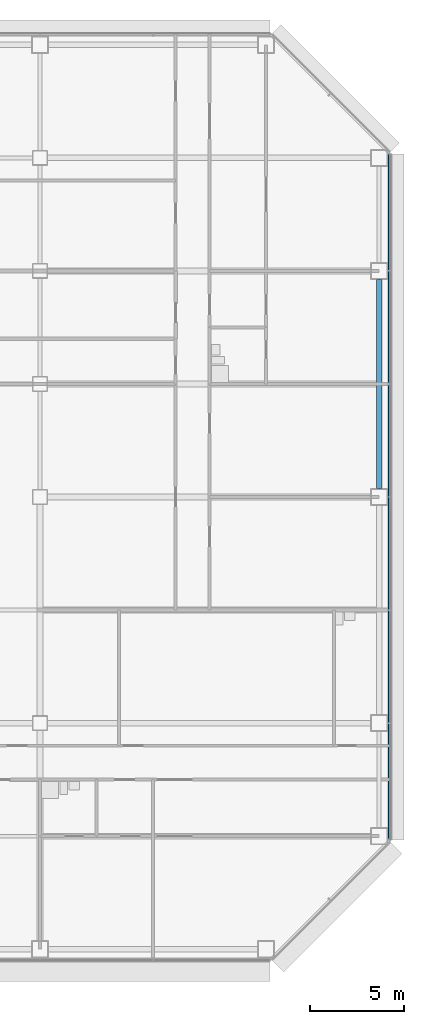
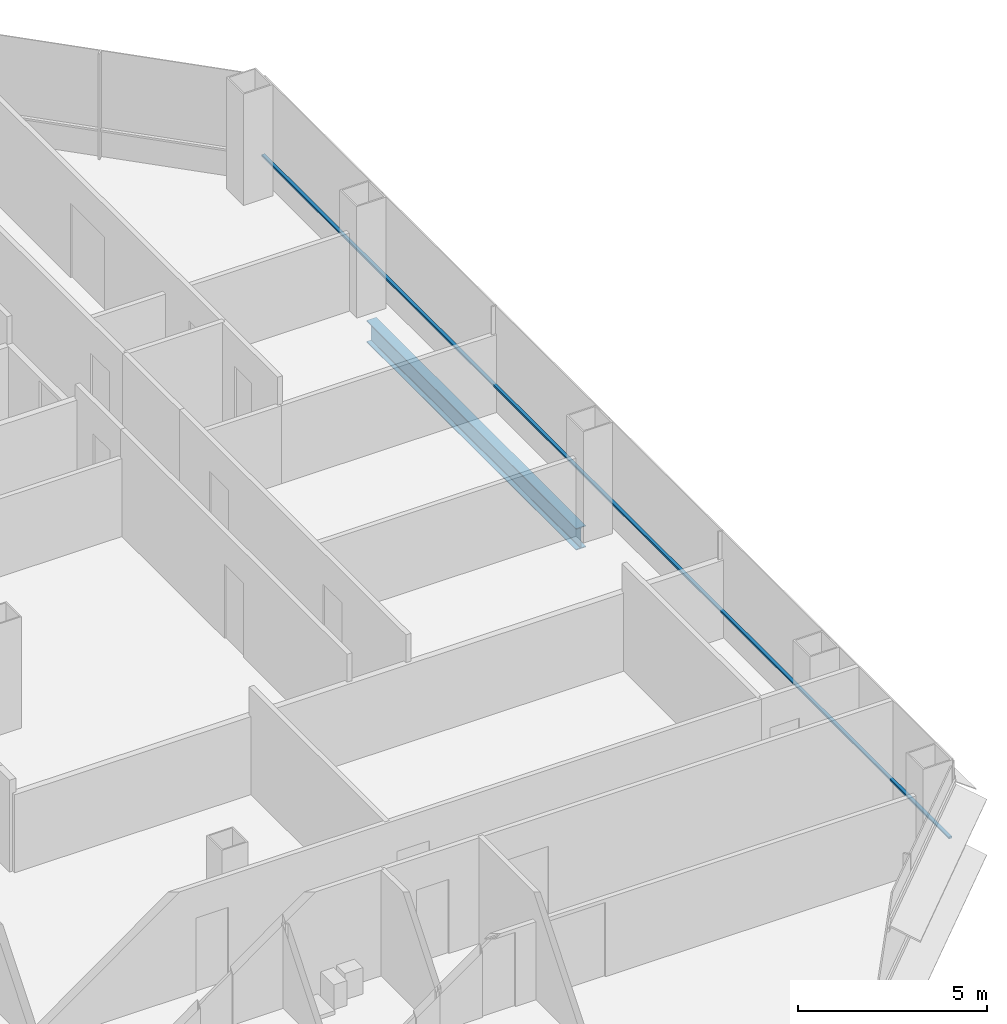
# One storey, part 17 of 27: 1 beam, 1 member, 1 element without a shape of its own.
"""IFC4 building model written with IfcOpenShell, lengths in metres."""

import ifcopenshell
import ifcopenshell.guid

model = None  # the IFC model being written
_history = None  # IfcOwnerHistory: only IFC2X3 demands one
_inside = {}  # id of a spatial element -> (the spatial element, [elements in it])
_under = {}  # id of a project, library or spatial element -> (it, [spatial elements below it])
_declared = {}  # id of a project -> (the project, [libraries it declares])
_typed = {}  # id of a type object -> (the type object, [elements of that type])
_made_of = {}  # id of a material, layer set ... -> (it, [elements and type objects made of it])


def new_model(schema):
    """Start an empty IFC model of exactly this schema.

    Asked for "IFC4X3", IfcOpenShell would pick the latest addendum, in which some entities
    have other attributes; the version numbers below select the first issue.
    IFC2X3 requires an IfcOwnerHistory on every rooted entity: one is made here for all.
    """
    global model, _history
    if schema == "IFC4X3":
        model = ifcopenshell.file(schema_version=(4, 3, 0, 0))
    else:
        model = ifcopenshell.file(schema=schema)
    _inside.clear()
    _under.clear()
    _declared.clear()
    _typed.clear()
    _made_of.clear()
    _history = None
    if model.schema == "IFC2X3":
        org = make("IfcOrganization", Name="unknown")
        user = make(
            "IfcPersonAndOrganization",
            ThePerson=make("IfcPerson", FamilyName="unknown"),
            TheOrganization=org,
        )
        app = make(
            "IfcApplication",
            ApplicationDeveloper=org,
            Version="unknown",
            ApplicationFullName="unknown",
            ApplicationIdentifier="unknown",
        )
        _history = make(
            "IfcOwnerHistory",
            OwningUser=user,
            OwningApplication=app,
            ChangeAction="ADDED",
            CreationDate=0,
        )
    return model


def make(cls, **values):
    """One entity of the class cls with the attributes given. An attribute that is None is left unset."""
    return model.create_entity(
        cls, **{name: value for name, value in values.items() if value is not None}
    )


def rooted(cls, **values):
    """An entity with a GlobalId (a new one), such as an element, a storey or a relation."""
    return make(cls, GlobalId=ifcopenshell.guid.new(), OwnerHistory=_history, **values)


def si_unit(unit_type, name, prefix=None):
    """IfcSIUnit, for example si_unit("LENGTHUNIT", "METRE", prefix="MILLI")."""
    return make("IfcSIUnit", UnitType=unit_type, Prefix=prefix, Name=name)


def assignment(units):
    """IfcUnitAssignment: the units of a project."""
    return None if units is None else make("IfcUnitAssignment", Units=units)


def point(xyz):
    """IfcCartesianPoint."""
    return None if xyz is None else make("IfcCartesianPoint", Coordinates=xyz)


def direction(xyz):
    """IfcDirection."""
    return None if xyz is None else make("IfcDirection", DirectionRatios=xyz)


def frame(location, z_axis=None, x_axis=None):
    """IfcAxis2Placement3D, a coordinate frame: its origin and axes. An axis left out is left unset."""
    return make(
        "IfcAxis2Placement3D",
        Location=point(location),
        Axis=direction(z_axis),
        RefDirection=direction(x_axis),
    )


def frame_2d(location, x_axis=None):
    """IfcAxis2Placement2D, a coordinate frame in the plane: its origin and x axis."""
    return make(
        "IfcAxis2Placement2D", Location=point(location), RefDirection=direction(x_axis)
    )


def origin():
    """The frame at (0, 0, 0) with its axes left unset."""
    return frame((0.0, 0.0, 0.0))


def origin_2d():
    """The frame at (0, 0) in the plane with its x axis left unset."""
    return frame_2d((0.0, 0.0))


def place(relative_to, where):
    """IfcLocalPlacement: puts the frame where relative to a parent placement (None: the world)."""
    return make(
        "IfcLocalPlacement", PlacementRelTo=relative_to, RelativePlacement=where
    )


def context(
    kind, dimensions, precision=None, world=None, true_north=None, identifier=None
):
    """IfcGeometricRepresentationContext, for example the 3D "Model" context."""
    return make(
        "IfcGeometricRepresentationContext",
        ContextIdentifier=identifier,
        ContextType=kind,
        CoordinateSpaceDimension=dimensions,
        Precision=precision,
        WorldCoordinateSystem=world,
        TrueNorth=true_north,
    )


def subcontext(parent, identifier, kind, view, scale=None):
    """IfcGeometricRepresentationSubContext, for example "Body" below "Model"."""
    return make(
        "IfcGeometricRepresentationSubContext",
        ContextIdentifier=identifier,
        ContextType=kind,
        ParentContext=parent,
        TargetScale=scale,
        TargetView=view,
    )


def project(units=None, contexts=None):
    """IfcProject with its units and contexts."""
    return rooted(
        "IfcProject",
        Name="project",
        RepresentationContexts=contexts,
        UnitsInContext=assignment(units),
    )


def spatial(cls, under=None, at=None, **own):
    """A site, building, storey or space (cls), placed at a placement, below another one or the project."""
    s = rooted(cls, ObjectPlacement=at, **own)
    if under is not None:
        _under.setdefault(under.id(), (under, []))[1].append(s)
    return s


def profile(cls, at=None, kind="AREA", **sizes):
    """A parametric profile (cls). Its sizes go by their IFC names, for example OverallWidth=200.0."""
    return make(cls, ProfileType=kind, Position=at, **sizes)


def rectangle(**sizes):
    """IfcRectangleProfileDef."""
    return profile("IfcRectangleProfileDef", **sizes)


def i_section(**sizes):
    """IfcIShapeProfileDef."""
    return profile("IfcIShapeProfileDef", **sizes)


def extrude(swept, where, along, depth):
    """IfcExtrudedAreaSolid: the profile swept, set in the frame where, extruded along a direction by depth."""
    return make(
        "IfcExtrudedAreaSolid",
        SweptArea=swept,
        Position=where,
        ExtrudedDirection=direction(along),
        Depth=depth,
    )


def shape(context_of_items, identifier, shape_type, items):
    """IfcShapeRepresentation: the items that make up one representation, for example the "Body"."""
    return make(
        "IfcShapeRepresentation",
        ContextOfItems=context_of_items,
        RepresentationIdentifier=identifier,
        RepresentationType=shape_type,
        Items=items,
    )


def material(Name=None, Category=None):
    """IfcMaterial."""
    return make("IfcMaterial", Name=Name, Category=Category)


def material_profile(
    of_material, cross_section, Name=None, Category=None, Priority=None
):
    """IfcMaterialProfile: a cross section and its material."""
    return make(
        "IfcMaterialProfile",
        Name=Name,
        Material=of_material,
        Profile=cross_section,
        Priority=Priority,
        Category=Category,
    )


def profile_set(profiles, Name=None, composite=None):
    """IfcMaterialProfileSet."""
    return make(
        "IfcMaterialProfileSet",
        Name=Name,
        MaterialProfiles=profiles,
        CompositeProfile=composite,
    )


def made_of(thing, what):
    """Note that an element or type object is made of a material, layer set ...; save() writes the relation."""
    if what is not None:
        _made_of.setdefault(what.id(), (what, []))[1].append(thing)
    return thing


def type_object(cls, material=None, **own):
    """A type object (cls), such as IfcWallType, which elements share."""
    return made_of(rooted(cls, **own), material)


def element(
    cls,
    number,
    at=None,
    inside=None,
    cuts=None,
    type_object=None,
    material=None,
    context=None,
    identifier="Body",
    shape_type=None,
    held_by="IfcProductDefinitionShape",
    body=None,
    shapes=None,
    **own,
):
    """One element of the class cls, such as IfcWall. Its Tag is "e" and its number.

    at: its placement. inside: the storey or other place that contains it. cuts: it is an
    opening in that element (IfcRelVoidsElement). A single representation is given by context,
    identifier, shape_type and body (its items); several are given by shapes. held_by: the class
    of the entity that holds the representations. save() writes the other relations.
    """
    e = rooted(cls, Tag="e%d" % number, ObjectPlacement=at, **own)
    if body is not None:
        shapes = [shape(context, identifier, shape_type, body)]
    if shapes is not None:
        e.Representation = make(held_by, Representations=shapes)
    if inside is not None:
        _inside.setdefault(inside.id(), (inside, []))[1].append(e)
    if cuts is not None:
        rooted(
            "IfcRelVoidsElement", RelatingBuildingElement=cuts, RelatedOpeningElement=e
        )
    if type_object is not None:
        _typed.setdefault(type_object.id(), (type_object, []))[1].append(e)
    return made_of(e, material)


def aggregate(whole, parts):
    """IfcRelAggregates: a whole, such as a stair, and the parts it consists of."""
    return rooted("IfcRelAggregates", RelatingObject=whole, RelatedObjects=parts)


def save(model, path):
    """Write the relations noted so far, then the file.

    IfcRelAggregates (storeys below a building ...), IfcRelContainedInSpatialStructure (elements
    in a storey), IfcRelDefinesByType, IfcRelAssociatesMaterial and IfcRelDeclares: one each for
    every whole, place, type object, material and project.
    """
    for whole, parts in _under.values():
        aggregate(whole, parts)
    for where, things in _inside.values():
        rooted(
            "IfcRelContainedInSpatialStructure",
            RelatedElements=things,
            RelatingStructure=where,
        )
    for kind, things in _typed.values():
        rooted("IfcRelDefinesByType", RelatedObjects=things, RelatingType=kind)
    for what, things in _made_of.values():
        rooted("IfcRelAssociatesMaterial", RelatedObjects=things, RelatingMaterial=what)
    for by, libraries in _declared.values():
        rooted("IfcRelDeclares", RelatingContext=by, RelatedDefinitions=libraries)
    model.write(path)


model = new_model("IFC4")

# Units and contexts
model_context = context("Model", 3, precision=1e-05, world=origin(), true_north=direction((0.0, 1.0)))
body_context = subcontext(model_context, "Body", "Model", "MODEL_VIEW")
ifc_project = project(units=[si_unit("LENGTHUNIT", "METRE"), si_unit("AREAUNIT", "SQUARE_METRE"), si_unit("VOLUMEUNIT", "CUBIC_METRE"), si_unit("PLANEANGLEUNIT", "RADIAN"), si_unit("MASSUNIT", "GRAM", prefix="KILO")], contexts=[model_context])

# Site, building, storey
site_placement = place(None, origin())
site = spatial("IfcSite", under=ifc_project, at=site_placement, CompositionType="ELEMENT")
building_placement = place(site_placement, origin())
building = spatial("IfcBuilding", under=site, at=building_placement, Name="Sorahane Residences", CompositionType="ELEMENT")
storey_placement = place(building_placement, frame((0.0, 0.0, 78.60009765625)))
storey = spatial("IfcBuildingStorey", under=building, at=storey_placement, Name="L16", CompositionType="ELEMENT", Elevation=78.60009765625)

# Curtain wall, member
ifc_material_1 = material(Name="Dark low-e glass and black anodised aluminium", Category="aluminium")
curtain_wall_type = type_object("IfcCurtainWallType", Name="Curtain wall CW-1 Typical unitised wall", PredefinedType="NOTDEFINED", material=ifc_material_1)
curtain_wall_placement = place(storey_placement, origin())
curtain_wall = element("IfcCurtainWall", 1, at=curtain_wall_placement, inside=storey, type_object=curtain_wall_type, Name="CW-1 curtain wall L16 E1", PredefinedType="NOTDEFINED")
ifc_material_2 = material(Name="Black anodised aluminium", Category="aluminium")
ifc_material_profile_1 = material_profile(ifc_material_2, rectangle(XDim=0.10009765625, YDim=0.06005859375, at=origin_2d()), Name="Curtain wall transom CW-1 black anodised aluminium 60x100")
ifc_profile_set_1 = profile_set([ifc_material_profile_1], Name="Black anodised aluminium")
member_type = type_object("IfcMemberType", Name="Curtain wall transom CW-1 black anodised aluminium 60x100", PredefinedType="USERDEFINED", material=ifc_profile_set_1)
member_placement = place(storey_placement, frame((66.530029296875, 5.801513671875, 0.89990234375), z_axis=(0.0, 1.0, 0.0), x_axis=(-1.0, 0.0, 0.0)))
member = element("IfcMember", 2, at=member_placement, type_object=member_type, Name="CW-1 transom L16 E1", ObjectType="TRANSOM", PredefinedType="USERDEFINED", context=body_context, shape_type="SweptSolid", body=[
    extrude(rectangle(XDim=0.10009765625, YDim=0.06005859375, at=origin_2d()), origin(), (0.0, 0.0, 1.0), 36.39697265625),
])
aggregate(curtain_wall, [member])

# Beam
ifc_material_3 = material(Name="Steel Q355B", Category="steel")
ifc_material_profile_2 = material_profile(ifc_material_3, i_section(OverallWidth=0.300048828125, OverallDepth=0.699951171875, WebThickness=0.012939453125, FlangeThickness=0.02392578125, FilletRadius=0.028076171875, at=origin_2d()), Name="HN 700x300x13x24")
ifc_profile_set_2 = profile_set([ifc_material_profile_2], Name="Steel Q355B")
beam_type = type_object("IfcBeamType", Name="Steel floor beam HN 700x300x13x24 Q355B", PredefinedType="BEAM", material=ifc_profile_set_2)
beam_placement = place(storey_placement, frame((66.0, 24.449951171875, -0.530029296875), z_axis=(0.0, 1.0, 0.0), x_axis=(-1.0, 0.0, 0.0)))
element("IfcBeam", 3, at=beam_placement, inside=storey, type_object=beam_type, Name="Beam L16 059", PredefinedType="BEAM", context=body_context, shape_type="SweptSolid", body=[
    extrude(i_section(OverallWidth=0.300048828125, OverallDepth=0.699951171875, WebThickness=0.012939453125, FlangeThickness=0.02392578125, FilletRadius=0.028076171875, at=origin_2d()), origin(), (0.0, 0.0, 1.0), 11.10009765625),
])

save(model, "model.ifc")
